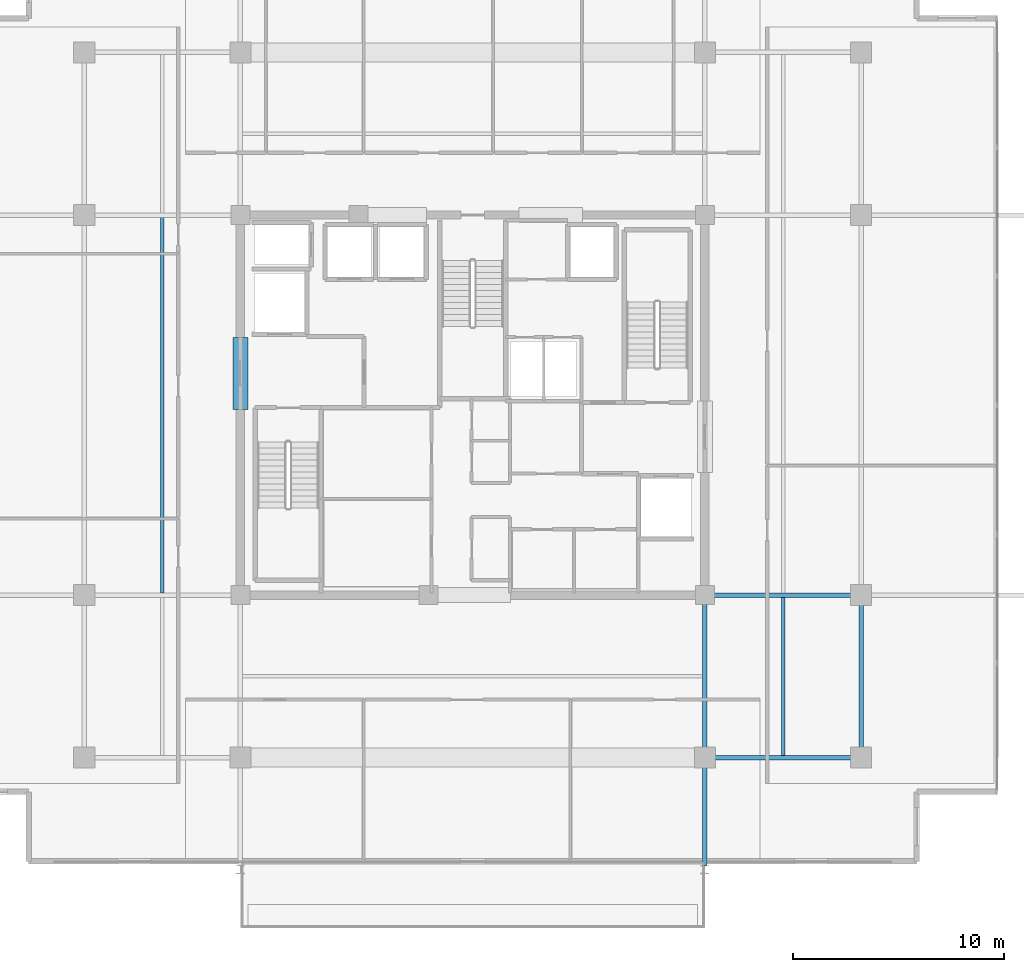
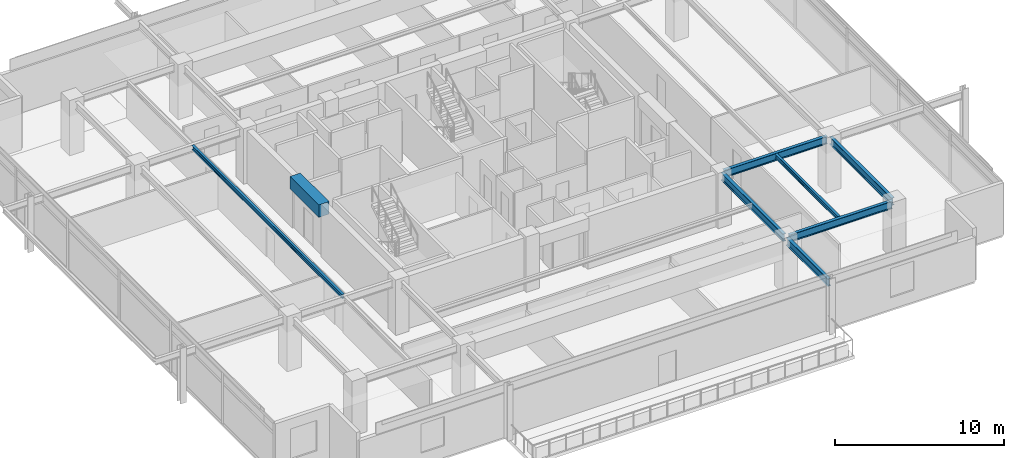
# One storey, part 5 of 21: 8 beams.
"""IFC4 building model written with IfcOpenShell, lengths in metres."""

from ifc_helpers import new_model, si_unit, direction, frame, origin, origin_2d, place, context, subcontext, project, spatial, rectangle, i_section, extrude, material, material_profile, profile_set, type_object, element, save


model = new_model("IFC4")

# Units and contexts
model_context = context("Model", 3, precision=1e-05, world=origin(), true_north=direction((0.0, 1.0)))
body_context = subcontext(model_context, "Body", "Model", "MODEL_VIEW")
ifc_project = project(units=[si_unit("LENGTHUNIT", "METRE"), si_unit("AREAUNIT", "SQUARE_METRE"), si_unit("VOLUMEUNIT", "CUBIC_METRE"), si_unit("PLANEANGLEUNIT", "RADIAN"), si_unit("MASSUNIT", "GRAM", prefix="KILO")], contexts=[model_context])

# Site, building, storey
site_placement = place(None, origin())
site = spatial("IfcSite", under=ifc_project, at=site_placement, CompositionType="ELEMENT")
building_placement = place(site_placement, origin())
building = spatial("IfcBuilding", under=site, at=building_placement, Name="Kovane Verandah Tower", CompositionType="ELEMENT")
storey_placement = place(building_placement, frame((0.0, 0.0, 326.800048828125)))
storey = spatial("IfcBuildingStorey", under=building, at=storey_placement, Name="L76", CompositionType="ELEMENT", Elevation=326.800048828125)

# Beams
ifc_material_1 = material(Name="Concrete C60/75", Category="concrete")
ifc_material_profile_1 = material_profile(ifc_material_1, rectangle(XDim=0.699951171875, YDim=0.89990234375, at=origin_2d()), Name="RCB700x900")
ifc_profile_set_1 = profile_set([ifc_material_profile_1], Name="Concrete C60/75")
beam_type_1 = type_object("IfcBeamType", Name="BM-LINTEL-700x900", PredefinedType="LINTEL", material=ifc_profile_set_1)
beam_1_placement = place(storey_placement, frame((29.0, 27.300048828125, 3.3349609375), z_axis=(0.0, 1.0, 0.0), x_axis=(-1.0, 0.0, 0.0)))
element("IfcBeam", 1, at=beam_1_placement, inside=storey, type_object=beam_type_1, Name="L76 Core Coupling Lintel CL-W", PredefinedType="LINTEL", context=body_context, shape_type="SweptSolid", body=[
    extrude(rectangle(XDim=0.699951171875, YDim=0.89990234375, at=origin_2d()), origin(), (0.0, 0.0, 1.0), 3.39990234375),
])
ifc_material_2 = material(Name="Steel S355", Category="steel")
ifc_material_profile_2 = material_profile(ifc_material_2, i_section(OverallWidth=0.2119140625, OverallDepth=0.54443359375, WebThickness=0.0126953125, FlangeThickness=0.021240234375, FilletRadius=0.0126953125, at=origin_2d()), Name="UB533x210x122")
ifc_profile_set_2 = profile_set([ifc_material_profile_2], Name="Steel S355")
beam_type_2 = type_object("IfcBeamType", Name="BM-UB533x122", PredefinedType="BEAM", material=ifc_profile_set_2)
beam_2_placement = place(storey_placement, frame((51.179931640625, 10.800048828125, 3.5126953125), z_axis=(1.0, 0.0, 0.0), x_axis=(0.0, 1.0, 0.0)))
element("IfcBeam", 2, at=beam_2_placement, inside=storey, type_object=beam_type_2, Name="L76 Primary Tower Girder G-RS3", PredefinedType="BEAM", context=body_context, shape_type="SweptSolid", body=[
    extrude(i_section(OverallWidth=0.2119140625, OverallDepth=0.54443359375, WebThickness=0.0126953125, FlangeThickness=0.021240234375, FilletRadius=0.0126953125, at=origin_2d()), origin(), (0.0, 0.0, 1.0), 7.0400390625),
])
beam_3_placement = place(storey_placement, frame((58.39990234375, 10.97998046875, 3.5126953125), z_axis=(0.0, 1.0, 0.0), x_axis=(-1.0, 0.0, 0.0)))
element("IfcBeam", 3, at=beam_3_placement, inside=storey, type_object=beam_type_2, Name="L76 Primary Tower Girder G-RE1", PredefinedType="BEAM", context=body_context, shape_type="SweptSolid", body=[
    extrude(i_section(OverallWidth=0.2119140625, OverallDepth=0.54443359375, WebThickness=0.0126953125, FlangeThickness=0.021240234375, FilletRadius=0.0126953125, at=origin_2d()), origin(), (0.0, 0.0, 1.0), 7.340087890625),
])
beam_4_placement = place(storey_placement, frame((51.179931640625, 18.5, 3.5126953125), z_axis=(1.0, 0.0, 0.0), x_axis=(0.0, 1.0, 0.0)))
element("IfcBeam", 4, at=beam_4_placement, inside=storey, type_object=beam_type_2, Name="L76 Primary Tower Girder G-E1", PredefinedType="BEAM", context=body_context, shape_type="SweptSolid", body=[
    extrude(i_section(OverallWidth=0.2119140625, OverallDepth=0.54443359375, WebThickness=0.0126953125, FlangeThickness=0.021240234375, FilletRadius=0.0126953125, at=origin_2d()), origin(), (0.0, 0.0, 1.0), 7.0400390625),
])
beam_5_placement = place(storey_placement, frame((51.0, 18.320068359375, 3.5126953125), z_axis=(0.0, -1.0, 0.0), x_axis=(1.0, 0.0, 0.0)))
element("IfcBeam", 5, at=beam_5_placement, inside=storey, type_object=beam_type_2, Name="L76 Primary Tower Girder G-S2", PredefinedType="BEAM", context=body_context, shape_type="SweptSolid", body=[
    extrude(i_section(OverallWidth=0.2119140625, OverallDepth=0.54443359375, WebThickness=0.0126953125, FlangeThickness=0.021240234375, FilletRadius=0.0126953125, at=origin_2d()), origin(), (0.0, 0.0, 1.0), 7.340087890625),
])
beam_6_placement = place(storey_placement, frame((51.0, 10.6201171875, 3.48779296875), z_axis=(0.0, -1.0, 0.0), x_axis=(1.0, 0.0, 0.0)))
element("IfcBeam", 6, at=beam_6_placement, inside=storey, type_object=beam_type_2, Name="L76 Primary Tower Girder G-VS2", PredefinedType="BEAM", context=body_context, shape_type="SweptSolid", body=[
    extrude(i_section(OverallWidth=0.2119140625, OverallDepth=0.54443359375, WebThickness=0.0126953125, FlangeThickness=0.021240234375, FilletRadius=0.0126953125, at=origin_2d()), origin(), (0.0, 0.0, 1.0), 4.940185546875),
])
ifc_material_profile_3 = material_profile(ifc_material_2, i_section(OverallWidth=0.1669921875, OverallDepth=0.310302734375, WebThickness=0.0078125, FlangeThickness=0.013671875, FilletRadius=0.0087890625, at=origin_2d()), Name="UB305x165x54")
ifc_profile_set_3 = profile_set([ifc_material_profile_3], Name="Steel S355")
beam_type_3 = type_object("IfcBeamType", Name="JST-UB305x54", PredefinedType="JOIST", material=ifc_profile_set_3)
beam_7_placement = place(storey_placement, frame((25.300048828125, 18.60400390625, 3.629638671875), z_axis=(0.0, 1.0, 0.0), x_axis=(-1.0, 0.0, 0.0)))
element("IfcBeam", 7, at=beam_7_placement, inside=storey, type_object=beam_type_3, Name="L76 Secondary Composite Joist J-W1", PredefinedType="JOIST", context=body_context, shape_type="SweptSolid", body=[
    extrude(i_section(OverallWidth=0.1669921875, OverallDepth=0.310302734375, WebThickness=0.0078125, FlangeThickness=0.013671875, FilletRadius=0.0087890625, at=origin_2d()), origin(), (0.0, 0.0, 1.0), 17.7919921875),
])
beam_8_placement = place(storey_placement, frame((54.699951171875, 10.904052734375, 3.629638671875), z_axis=(0.0, 1.0, 0.0), x_axis=(-1.0, 0.0, 0.0)))
element("IfcBeam", 8, at=beam_8_placement, inside=storey, type_object=beam_type_3, Name="L76 Secondary Composite Joist J-SE1", PredefinedType="JOIST", context=body_context, shape_type="SweptSolid", body=[
    extrude(i_section(OverallWidth=0.1669921875, OverallDepth=0.310302734375, WebThickness=0.0078125, FlangeThickness=0.013671875, FilletRadius=0.0087890625, at=origin_2d()), origin(), (0.0, 0.0, 1.0), 7.491943359375),
])

save(model, "model.ifc")
